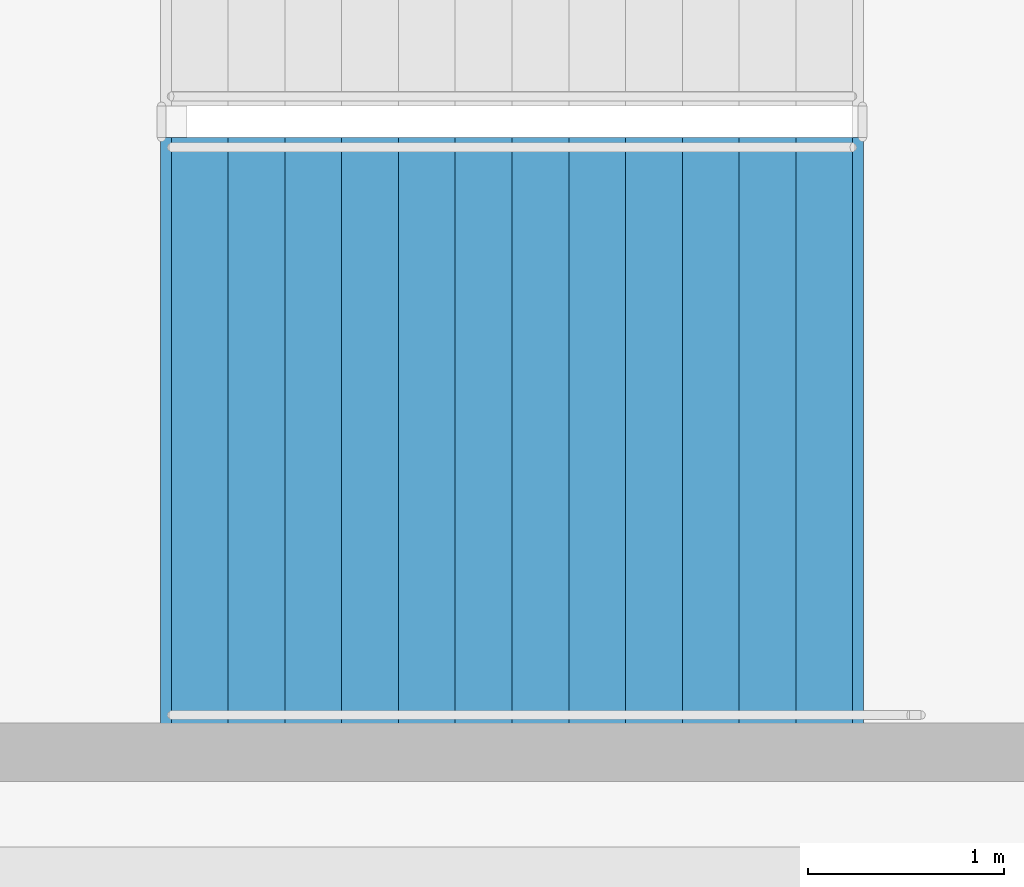
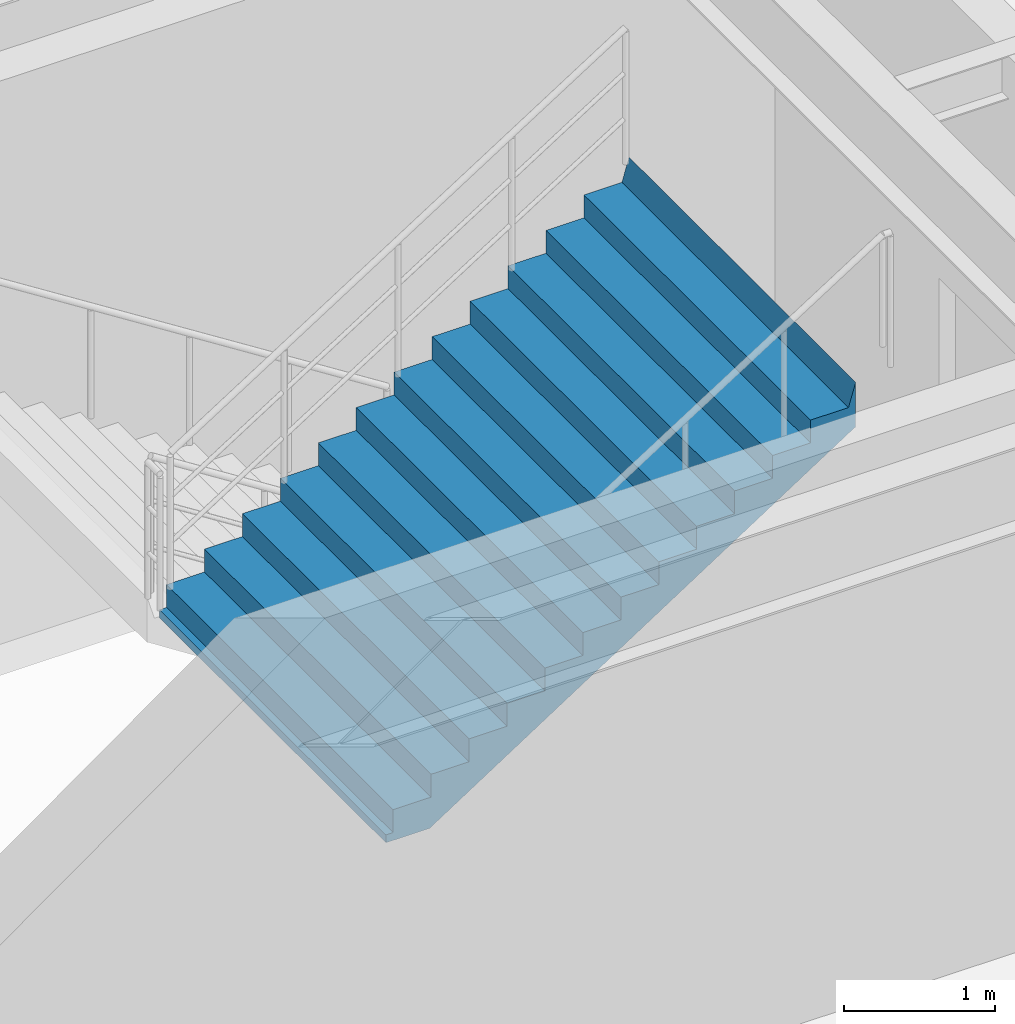
# One storey, part 126 of 144: 1 stair flight, 1 element without a shape of its own.
"""IFC4 building model written with IfcOpenShell, lengths in metres."""

from ifc_helpers import new_model, si_unit, direction, frame, origin, place, context, subcontext, project, spatial, polyline, outline, extrude, material, type_object, element, aggregate, save


model = new_model("IFC4")

# Units and contexts
model_context = context("Model", 3, precision=1e-05, world=origin(), true_north=direction((0.0, 1.0)))
body_context = subcontext(model_context, "Body", "Model", "MODEL_VIEW")
ifc_project = project(units=[si_unit("LENGTHUNIT", "METRE"), si_unit("AREAUNIT", "SQUARE_METRE"), si_unit("VOLUMEUNIT", "CUBIC_METRE"), si_unit("PLANEANGLEUNIT", "RADIAN"), si_unit("MASSUNIT", "GRAM", prefix="KILO")], contexts=[model_context])

# Site, building, storey
site_placement = place(None, origin())
site = spatial("IfcSite", under=ifc_project, at=site_placement, CompositionType="ELEMENT")
building_placement = place(site_placement, origin())
building = spatial("IfcBuilding", under=site, at=building_placement, Name="Cinderbank Siding Concert Hall", CompositionType="ELEMENT")
storey_placement = place(building_placement, frame((0.0, 0.0, 5.39990234375)))
storey = spatial("IfcBuildingStorey", under=building, at=storey_placement, Name="L02", CompositionType="ELEMENT", Elevation=5.39990234375)

# Stair, stair flight
ifc_material = material(Name="Reinforced concrete AS 3600 N50 (50 MPa)", Category="concrete")
stair_type = type_object("IfcStairType", Name="STR-I Dogleg Exit Stair 3000mm", PredefinedType="HALF_TURN_STAIR", material=ifc_material)
stair_placement = place(storey_placement, origin())
stair = element("IfcStair", 1, at=stair_placement, inside=storey, type_object=stair_type, Name="L02 East Link Exit Stair ST-11", PredefinedType="HALF_TURN_STAIR")
stair_flight_type = type_object("IfcStairFlightType", Name="SFL-I Concrete Stair Flight 3000mm", PredefinedType="STRAIGHT", material=ifc_material)
stair_flight_placement = place(storey_placement, frame((156.219970703125, 83.050048828125, 2.400146484375), z_axis=(0.0, 0.0, 1.0), x_axis=(1.0, 0.0, 0.0)))
stair_flight = element("IfcStairFlight", 2, at=stair_flight_placement, type_object=stair_flight_type, Name="ST-11 flight 2", NumberOfRisers=13, NumberOfTreads=12, PredefinedType="STRAIGHT", RiserHeight=0.184615385, TreadLength=0.29, context=body_context, shape_type="SweptSolid", body=[
    extrude(outline(polyline([(0.0, 0.0), (0.0, 0.1845703125), (0.2900390625, 0.1845703125), (0.2900390625, 0.369140625), (0.580078125, 0.369140625), (0.580078125, 0.553955078125), (0.8701171875, 0.553955078125), (0.8701171875, 0.738525390625), (1.159912109375, 0.738525390625), (1.159912109375, 0.923095703125), (1.449951171875, 0.923095703125), (1.449951171875, 1.107666015625), (1.739990234375, 1.107666015625), (1.739990234375, 1.292236328125), (2.030029296875, 1.292236328125), (2.030029296875, 1.476806640625), (2.320068359375, 1.476806640625), (2.320068359375, 1.66162109375), (2.610107421875, 1.66162109375), (2.610107421875, 1.84619140625), (2.89990234375, 1.84619140625), (2.89990234375, 2.03076171875), (3.18994140625, 2.03076171875), (3.18994140625, 2.21533203125), (3.47998046875, 2.21533203125), (3.534912109375, 2.39990234375), (3.534912109375, 2.03759765625), (3.53466796875, 2.037841796875), (3.53466796875, 2.0380859375), (3.53466796875, 2.038330078125), (3.53466796875, 2.03857421875), (3.53466796875, 2.038818359375), (3.53466796875, 2.0390625), (3.53466796875, 2.039306640625), (3.53466796875, 2.03955078125), (3.53466796875, 2.039794921875), (3.53466796875, 2.0400390625), (3.53466796875, 2.040283203125), (3.53466796875, 2.04052734375), (3.534423828125, 2.04052734375), (3.534423828125, 2.040283203125), (3.534423828125, 2.0400390625), (3.534423828125, 2.039794921875), (3.534423828125, 2.03955078125), (3.534423828125, 2.039306640625), (3.534423828125, 2.0390625), (3.534423828125, 2.038818359375), (3.534423828125, 2.03857421875), (3.534423828125, 2.038330078125), (3.534423828125, 2.0380859375), (3.534423828125, 2.037841796875), (3.534423828125, 2.03759765625), (3.5341796875, 2.037841796875), (3.5341796875, 2.0380859375), (3.5341796875, 2.038330078125), (3.5341796875, 2.03857421875), (3.5341796875, 2.038818359375), (3.5341796875, 2.0390625), (3.5341796875, 2.039306640625), (3.5341796875, 2.03955078125), (3.5341796875, 2.039794921875), (3.5341796875, 2.0400390625), (3.5341796875, 2.040283203125), (3.5341796875, 2.04052734375), (3.533935546875, 2.04052734375), (3.533935546875, 2.040283203125), (3.533935546875, 2.0400390625), (3.533935546875, 2.039794921875), (3.533935546875, 2.03955078125), (3.533935546875, 2.039306640625), (3.533935546875, 2.0390625), (3.533935546875, 2.038818359375), (3.533935546875, 2.03857421875), (3.533935546875, 2.038330078125), (3.533935546875, 2.0380859375), (3.533935546875, 2.037841796875), (3.533935546875, 2.03759765625), (3.53369140625, 2.037841796875), (3.53369140625, 2.0380859375), (3.53369140625, 2.038330078125), (3.53369140625, 2.03857421875), (3.53369140625, 2.038818359375), (3.53369140625, 2.0390625), (3.53369140625, 2.039306640625), (3.53369140625, 2.03955078125), (3.53369140625, 2.039794921875), (3.53369140625, 2.0400390625), (3.53369140625, 2.040283203125), (3.53369140625, 2.04052734375), (3.533447265625, 2.04052734375), (3.533447265625, 2.040283203125), (3.533447265625, 2.0400390625), (3.533447265625, 2.039794921875), (3.533447265625, 2.03955078125), (3.533447265625, 2.039306640625), (3.533447265625, 2.0390625), (3.533447265625, 2.038818359375), (3.533447265625, 2.03857421875), (3.533447265625, 2.038330078125), (3.533447265625, 2.0380859375), (3.533447265625, 2.037841796875), (3.533447265625, 2.03759765625), (3.533203125, 2.037841796875), (3.533203125, 2.0380859375), (3.533203125, 2.038330078125), (3.533203125, 2.03857421875), (3.533203125, 2.038818359375), (3.533203125, 2.0390625), (3.533203125, 2.039306640625), (3.533203125, 2.03955078125), (3.533203125, 2.039794921875), (3.533203125, 2.0400390625), (3.533203125, 2.040283203125), (3.533203125, 2.04052734375), (3.532958984375, 2.04052734375), (3.532958984375, 2.040283203125), (3.532958984375, 2.0400390625), (3.532958984375, 2.039794921875), (3.532958984375, 2.03955078125), (3.532958984375, 2.039306640625), (3.532958984375, 2.0390625), (3.532958984375, 2.038818359375), (3.532958984375, 2.03857421875), (3.532958984375, 2.038330078125), (3.532958984375, 2.0380859375), (3.532958984375, 2.037841796875), (3.532958984375, 2.03759765625), (3.53271484375, 2.037841796875), (3.53271484375, 2.0380859375), (3.53271484375, 2.038330078125), (3.53271484375, 2.03857421875), (3.53271484375, 2.038818359375), (3.53271484375, 2.0390625), (3.53271484375, 2.039306640625), (3.53271484375, 2.03955078125), (3.53271484375, 2.039794921875), (3.53271484375, 2.0400390625), (3.53271484375, 2.040283203125), (3.53271484375, 2.04052734375), (3.532470703125, 2.04052734375), (3.532470703125, 2.040283203125), (3.532470703125, 2.0400390625), (3.532470703125, 2.039794921875), (3.532470703125, 2.03955078125), (3.532470703125, 2.039306640625), (3.532470703125, 2.0390625), (3.532470703125, 2.038818359375), (3.532470703125, 2.03857421875), (3.532470703125, 2.038330078125), (3.532470703125, 2.0380859375), (3.532470703125, 2.037841796875), (3.532470703125, 2.03759765625), (3.5322265625, 2.037841796875), (3.5322265625, 2.0380859375), (3.5322265625, 2.038330078125), (3.5322265625, 2.03857421875), (3.5322265625, 2.038818359375), (3.5322265625, 2.0390625), (3.5322265625, 2.039306640625), (3.5322265625, 2.03955078125), (3.5322265625, 2.039794921875), (3.5322265625, 2.0400390625), (3.5322265625, 2.040283203125), (3.5322265625, 2.04052734375), (3.531982421875, 2.04052734375), (3.531982421875, 2.040283203125), (3.531982421875, 2.0400390625), (3.531982421875, 2.039794921875), (3.531982421875, 2.03955078125), (3.531982421875, 2.039306640625), (3.531982421875, 2.0390625), (3.531982421875, 2.038818359375), (3.531982421875, 2.03857421875), (3.531982421875, 2.038330078125), (3.531982421875, 2.0380859375), (3.531982421875, 2.037841796875), (3.531982421875, 2.03759765625), (3.53173828125, 2.037841796875), (3.53173828125, 2.0380859375), (3.53173828125, 2.038330078125), (3.53173828125, 2.03857421875), (3.53173828125, 2.038818359375), (3.53173828125, 2.0390625), (3.53173828125, 2.039306640625), (3.53173828125, 2.03955078125), (3.53173828125, 2.039794921875), (3.53173828125, 2.0400390625), (3.53173828125, 2.040283203125), (3.53173828125, 2.04052734375), (3.531494140625, 2.04052734375), (3.531494140625, 2.040283203125), (3.531494140625, 2.0400390625), (3.531494140625, 2.039794921875), (3.531494140625, 2.03955078125), (3.531494140625, 2.039306640625), (3.531494140625, 2.0390625), (3.531494140625, 2.038818359375), (3.531494140625, 2.03857421875), (3.531494140625, 2.038330078125), (3.531494140625, 2.0380859375), (3.531494140625, 2.037841796875), (3.531494140625, 2.03759765625), (3.53125, 2.037841796875), (3.53125, 2.0380859375), (3.53125, 2.038330078125), (3.53125, 2.03857421875), (3.53125, 2.038818359375), (3.53125, 2.0390625), (3.53125, 2.039306640625), (3.53125, 2.03955078125), (3.53125, 2.039794921875), (3.53125, 2.0400390625), (3.53125, 2.040283203125), (3.53125, 2.04052734375), (3.531005859375, 2.04052734375), (3.531005859375, 2.040283203125), (3.531005859375, 2.0400390625), (3.531005859375, 2.039794921875), (3.531005859375, 2.03955078125), (3.531005859375, 2.039306640625), (3.531005859375, 2.0390625), (3.531005859375, 2.038818359375), (3.531005859375, 2.03857421875), (3.531005859375, 2.038330078125), (3.531005859375, 2.0380859375), (3.531005859375, 2.037841796875), (3.531005859375, 2.03759765625), (3.53076171875, 2.037841796875), (3.53076171875, 2.0380859375), (3.53076171875, 2.038330078125), (3.53076171875, 2.03857421875), (3.53076171875, 2.038818359375), (3.53076171875, 2.0390625), (3.53076171875, 2.039306640625), (3.53076171875, 2.03955078125), (3.53076171875, 2.039794921875), (3.53076171875, 2.0400390625), (3.53076171875, 2.040283203125), (3.53076171875, 2.04052734375), (3.530517578125, 2.04052734375), (3.530517578125, 2.040283203125), (3.530517578125, 2.0400390625), (3.530517578125, 2.039794921875), (3.530517578125, 2.03955078125), (3.530517578125, 2.039306640625), (3.530517578125, 2.0390625), (3.530517578125, 2.038818359375), (3.530517578125, 2.03857421875), (3.530517578125, 2.038330078125), (3.530517578125, 2.0380859375), (3.530517578125, 2.037841796875), (3.530517578125, 2.03759765625), (3.5302734375, 2.037841796875), (3.5302734375, 2.0380859375), (3.5302734375, 2.038330078125), (3.5302734375, 2.03857421875), (3.5302734375, 2.038818359375), (3.5302734375, 2.0390625), (3.5302734375, 2.039306640625), (3.5302734375, 2.03955078125), (3.5302734375, 2.039794921875), (3.5302734375, 2.0400390625), (3.5302734375, 2.040283203125), (3.5302734375, 2.04052734375), (3.530029296875, 2.04052734375), (3.530029296875, 2.040283203125), (3.530029296875, 2.0400390625), (3.530029296875, 2.039794921875), (3.530029296875, 2.03955078125), (3.530029296875, 2.039306640625), (3.530029296875, 2.0390625), (3.530029296875, 2.038818359375), (3.530029296875, 2.03857421875), (3.530029296875, 2.038330078125), (3.530029296875, 2.0380859375), (3.530029296875, 2.037841796875), (3.530029296875, 2.03759765625), (3.52978515625, 2.037841796875), (3.52978515625, 2.0380859375), (3.52978515625, 2.038330078125), (3.52978515625, 2.03857421875), (3.52978515625, 2.038818359375), (3.52978515625, 2.0390625), (3.52978515625, 2.039306640625), (3.52978515625, 2.03955078125), (3.52978515625, 2.039794921875), (3.52978515625, 2.0400390625), (3.52978515625, 2.040283203125), (3.52978515625, 2.04052734375), (3.529541015625, 2.04052734375), (3.529541015625, 2.040283203125), (3.529541015625, 2.0400390625), (3.529541015625, 2.039794921875), (3.529541015625, 2.03955078125), (3.529541015625, 2.039306640625), (3.529541015625, 2.0390625), (3.529541015625, 2.038818359375), (3.529541015625, 2.03857421875), (3.529541015625, 2.038330078125), (3.529541015625, 2.0380859375), (3.529541015625, 2.037841796875), (3.529541015625, 2.03759765625), (3.529296875, 2.037841796875), (3.529296875, 2.0380859375), (3.529296875, 2.038330078125), (3.529296875, 2.03857421875), (3.529296875, 2.038818359375), (3.529296875, 2.0390625), (3.529296875, 2.039306640625), (3.529296875, 2.03955078125), (3.529296875, 2.039794921875), (3.529296875, 2.0400390625), (3.529296875, 2.040283203125), (3.529296875, 2.04052734375), (3.529052734375, 2.04052734375), (3.529052734375, 2.040283203125), (3.529052734375, 2.0400390625), (3.529052734375, 2.039794921875), (3.529052734375, 2.03955078125), (3.529052734375, 2.039306640625), (3.529052734375, 2.0390625), (3.529052734375, 2.038818359375), (3.529052734375, 2.03857421875), (3.529052734375, 2.038330078125), (3.529052734375, 2.0380859375), (3.529052734375, 2.037841796875), (3.529052734375, 2.03759765625), (3.52880859375, 2.037841796875), (3.52880859375, 2.0380859375), (3.52880859375, 2.038330078125), (3.52880859375, 2.03857421875), (3.52880859375, 2.038818359375), (3.52880859375, 2.0390625), (3.52880859375, 2.039306640625), (3.52880859375, 2.03955078125), (3.52880859375, 2.039794921875), (3.52880859375, 2.0400390625), (3.52880859375, 2.040283203125), (3.52880859375, 2.04052734375), (3.528564453125, 2.04052734375), (3.528564453125, 2.040283203125), (3.528564453125, 2.0400390625), (3.528564453125, 2.039794921875), (3.528564453125, 2.03955078125), (3.528564453125, 2.039306640625), (3.528564453125, 2.0390625), (3.528564453125, 2.038818359375), (3.528564453125, 2.03857421875), (3.528564453125, 2.038330078125), (3.528564453125, 2.0380859375), (3.528564453125, 2.037841796875), (3.528564453125, 2.03759765625), (0.279052734375, -0.06396484375), (-0.048583984375, -0.063720703125), (-0.048583984375, -0.0634765625), (-0.048583984375, -0.063232421875), (-0.048583984375, -0.06298828125), (-0.048583984375, -0.062744140625), (-0.048583984375, -0.0625), (-0.048583984375, -0.062255859375), (-0.048583984375, -0.06201171875), (-0.048583984375, -0.061767578125), (-0.048583984375, -0.0615234375), (-0.048583984375, -0.061279296875), (-0.048583984375, -0.06103515625), (-0.048828125, -0.06103515625), (-0.048828125, -0.061279296875), (-0.048828125, -0.0615234375), (-0.048828125, -0.061767578125), (-0.048828125, -0.06201171875), (-0.048828125, -0.062255859375), (-0.048828125, -0.0625), (-0.048828125, -0.062744140625), (-0.048828125, -0.06298828125), (-0.048828125, -0.063232421875), (-0.048828125, -0.0634765625), (-0.048828125, -0.063720703125), (-0.048828125, -0.06396484375), (-0.049072265625, -0.063720703125), (-0.049072265625, -0.0634765625), (-0.049072265625, -0.063232421875), (-0.049072265625, -0.06298828125), (-0.049072265625, -0.062744140625), (-0.049072265625, -0.0625), (-0.049072265625, -0.062255859375), (-0.049072265625, -0.06201171875), (-0.049072265625, -0.061767578125), (-0.049072265625, -0.0615234375), (-0.049072265625, -0.061279296875), (-0.049072265625, -0.06103515625), (-0.04931640625, -0.06103515625), (-0.04931640625, -0.061279296875), (-0.04931640625, -0.0615234375), (-0.04931640625, -0.061767578125), (-0.04931640625, -0.06201171875), (-0.04931640625, -0.062255859375), (-0.04931640625, -0.0625), (-0.04931640625, -0.062744140625), (-0.04931640625, -0.06298828125), (-0.04931640625, -0.063232421875), (-0.04931640625, -0.0634765625), (-0.04931640625, -0.063720703125), (-0.04931640625, -0.06396484375), (-0.049560546875, -0.063720703125), (-0.049560546875, -0.0634765625), (-0.049560546875, -0.063232421875), (-0.049560546875, -0.06298828125), (-0.049560546875, -0.062744140625), (-0.049560546875, -0.0625), (-0.049560546875, -0.062255859375), (-0.049560546875, -0.06201171875), (-0.049560546875, -0.061767578125), (-0.049560546875, -0.0615234375), (-0.049560546875, -0.061279296875), (-0.049560546875, -0.06103515625), (-0.0498046875, -0.06103515625), (-0.0498046875, -0.061279296875), (-0.0498046875, -0.0615234375), (-0.0498046875, -0.061767578125), (-0.0498046875, -0.06201171875), (-0.0498046875, -0.062255859375), (-0.0498046875, -0.0625), (-0.0498046875, -0.062744140625), (-0.0498046875, -0.06298828125), (-0.0498046875, -0.063232421875), (-0.0498046875, -0.0634765625), (-0.0498046875, -0.063720703125), (-0.0498046875, -0.06396484375), (-0.050048828125, -0.063720703125), (-0.050048828125, -0.0634765625), (-0.050048828125, -0.063232421875), (-0.050048828125, -0.06298828125), (-0.050048828125, -0.062744140625), (-0.050048828125, -0.0625), (-0.050048828125, -0.062255859375), (-0.050048828125, -0.06201171875), (-0.050048828125, -0.061767578125), (-0.050048828125, -0.0615234375), (-0.050048828125, -0.061279296875), (-0.050048828125, -0.06103515625), (-0.05029296875, -0.06103515625), (-0.05029296875, -0.061279296875), (-0.05029296875, -0.0615234375), (-0.05029296875, -0.061767578125), (-0.05029296875, -0.06201171875), (-0.05029296875, -0.062255859375), (-0.05029296875, -0.0625), (-0.05029296875, -0.062744140625), (-0.05029296875, -0.06298828125), (-0.05029296875, -0.063232421875), (-0.05029296875, -0.0634765625), (-0.05029296875, -0.063720703125), (-0.05029296875, -0.06396484375), (-0.050537109375, -0.063720703125), (-0.050537109375, -0.0634765625), (-0.050537109375, -0.063232421875), (-0.050537109375, -0.06298828125), (-0.050537109375, -0.062744140625), (-0.050537109375, -0.0625), (-0.050537109375, -0.062255859375), (-0.050537109375, -0.06201171875), (-0.050537109375, -0.061767578125), (-0.050537109375, -0.0615234375), (-0.050537109375, -0.061279296875), (-0.050537109375, -0.06103515625), (-0.05078125, -0.06103515625), (-0.05078125, -0.061279296875), (-0.05078125, -0.0615234375), (-0.05078125, -0.061767578125), (-0.05078125, -0.06201171875), (-0.05078125, -0.062255859375), (-0.05078125, -0.0625), (-0.05078125, -0.062744140625), (-0.05078125, -0.06298828125), (-0.05078125, -0.063232421875), (-0.05078125, -0.0634765625), (-0.05078125, -0.063720703125), (-0.05078125, -0.06396484375), (-0.051025390625, -0.063720703125), (-0.051025390625, -0.0634765625), (-0.051025390625, -0.063232421875), (-0.051025390625, -0.06298828125), (-0.051025390625, -0.062744140625), (-0.051025390625, -0.0625), (-0.051025390625, -0.062255859375), (-0.051025390625, -0.06201171875), (-0.051025390625, -0.061767578125), (-0.051025390625, -0.0615234375), (-0.051025390625, -0.061279296875), (-0.051025390625, -0.06103515625), (-0.05126953125, -0.06103515625), (-0.05126953125, -0.061279296875), (-0.05126953125, -0.0615234375), (-0.05126953125, -0.061767578125), (-0.05126953125, -0.06201171875), (-0.05126953125, -0.062255859375), (-0.05126953125, -0.0625), (-0.05126953125, -0.062744140625), (-0.05126953125, -0.06298828125), (-0.05126953125, -0.063232421875), (-0.05126953125, -0.0634765625), (-0.05126953125, -0.063720703125), (-0.05126953125, -0.06396484375), (-0.051513671875, -0.063720703125), (-0.051513671875, -0.0634765625), (-0.051513671875, -0.063232421875), (-0.051513671875, -0.06298828125), (-0.051513671875, -0.062744140625), (-0.051513671875, -0.0625), (-0.051513671875, -0.062255859375), (-0.051513671875, -0.06201171875), (-0.051513671875, -0.061767578125), (-0.051513671875, -0.0615234375), (-0.051513671875, -0.061279296875), (-0.051513671875, -0.06103515625), (-0.0517578125, -0.06103515625), (-0.0517578125, -0.061279296875), (-0.0517578125, -0.0615234375), (-0.0517578125, -0.061767578125), (-0.0517578125, -0.06201171875), (-0.0517578125, -0.062255859375), (-0.0517578125, -0.0625), (-0.0517578125, -0.062744140625), (-0.0517578125, -0.06298828125), (-0.0517578125, -0.063232421875), (-0.0517578125, -0.0634765625), (-0.0517578125, -0.063720703125), (-0.0517578125, -0.06396484375), (-0.052001953125, -0.063720703125), (-0.052001953125, -0.0634765625), (-0.052001953125, -0.063232421875), (-0.052001953125, -0.06298828125), (-0.052001953125, -0.062744140625), (-0.052001953125, -0.0625), (-0.052001953125, -0.062255859375), (-0.052001953125, -0.06201171875), (-0.052001953125, -0.061767578125), (-0.052001953125, -0.0615234375), (-0.052001953125, -0.061279296875), (-0.052001953125, -0.06103515625), (-0.05224609375, -0.06103515625), (-0.05224609375, -0.061279296875), (-0.05224609375, -0.0615234375), (-0.05224609375, -0.061767578125), (-0.05224609375, -0.06201171875), (-0.05224609375, -0.062255859375), (-0.05224609375, -0.0625), (-0.05224609375, -0.062744140625), (-0.05224609375, -0.06298828125), (-0.05224609375, -0.063232421875), (-0.05224609375, -0.0634765625), (-0.05224609375, -0.063720703125), (-0.05224609375, -0.06396484375), (-0.052490234375, -0.063720703125), (-0.052490234375, -0.0634765625), (-0.052490234375, -0.063232421875), (-0.052490234375, -0.06298828125), (-0.052490234375, -0.062744140625), (-0.052490234375, -0.0625), (-0.052490234375, -0.062255859375), (-0.052490234375, -0.06201171875), (-0.052490234375, -0.061767578125), (-0.052490234375, -0.0615234375), (-0.052490234375, -0.061279296875), (-0.052490234375, -0.06103515625), (-0.052734375, -0.06103515625), (-0.052734375, -0.061279296875), (-0.052734375, -0.0615234375), (-0.052734375, -0.061767578125), (-0.052734375, -0.06201171875), (-0.052734375, -0.062255859375), (-0.052734375, -0.0625), (-0.052734375, -0.062744140625), (-0.052734375, -0.06298828125), (-0.052734375, -0.063232421875), (-0.052734375, -0.0634765625), (-0.052734375, -0.063720703125), (-0.052734375, -0.06396484375), (-0.052978515625, -0.063720703125), (-0.052978515625, -0.0634765625), (-0.052978515625, -0.063232421875), (-0.052978515625, -0.06298828125), (-0.052978515625, -0.062744140625), (-0.052978515625, -0.0625), (-0.052978515625, -0.062255859375), (-0.052978515625, -0.06201171875), (-0.052978515625, -0.061767578125), (-0.052978515625, -0.0615234375), (-0.052978515625, -0.061279296875), (-0.052978515625, -0.06103515625), (-0.05322265625, -0.06103515625), (-0.05322265625, -0.061279296875), (-0.05322265625, -0.0615234375), (-0.05322265625, -0.061767578125), (-0.05322265625, -0.06201171875), (-0.05322265625, -0.062255859375), (-0.05322265625, -0.0625), (-0.05322265625, -0.062744140625), (-0.05322265625, -0.06298828125), (-0.05322265625, -0.063232421875), (-0.05322265625, -0.0634765625), (-0.05322265625, -0.063720703125), (-0.05322265625, -0.06396484375), (-0.053466796875, -0.063720703125), (-0.053466796875, -0.0634765625), (-0.053466796875, -0.063232421875), (-0.053466796875, -0.06298828125), (-0.053466796875, -0.062744140625), (-0.053466796875, -0.0625), (-0.053466796875, -0.062255859375), (-0.053466796875, -0.06201171875), (-0.053466796875, -0.061767578125), (-0.053466796875, -0.0615234375), (-0.053466796875, -0.061279296875), (-0.053466796875, -0.06103515625), (-0.0537109375, -0.06103515625), (-0.0537109375, -0.061279296875), (-0.0537109375, -0.0615234375), (-0.0537109375, -0.061767578125), (-0.0537109375, -0.06201171875), (-0.0537109375, -0.062255859375), (-0.0537109375, -0.0625), (-0.0537109375, -0.062744140625), (-0.0537109375, -0.06298828125), (-0.0537109375, -0.063232421875), (-0.0537109375, -0.0634765625), (-0.0537109375, -0.063720703125), (-0.0537109375, -0.06396484375), (-0.053955078125, -0.063720703125), (-0.053955078125, -0.0634765625), (-0.053955078125, -0.063232421875), (-0.053955078125, -0.06298828125), (-0.053955078125, -0.062744140625), (-0.053955078125, -0.0625), (-0.053955078125, -0.062255859375), (-0.053955078125, -0.06201171875), (-0.053955078125, -0.061767578125), (-0.053955078125, -0.0615234375), (-0.053955078125, -0.061279296875), (-0.053955078125, -0.06103515625), (-0.05419921875, -0.06103515625), (-0.05419921875, -0.061279296875), (-0.05419921875, -0.0615234375), (-0.05419921875, -0.061767578125), (-0.05419921875, -0.06201171875), (-0.05419921875, -0.062255859375), (-0.05419921875, -0.0625), (-0.05419921875, -0.062744140625), (-0.05419921875, -0.06298828125), (-0.05419921875, -0.063232421875), (-0.05419921875, -0.0634765625), (-0.05419921875, -0.063720703125), (-0.05419921875, -0.06396484375), (-0.054443359375, -0.063720703125), (-0.054443359375, -0.0634765625), (-0.054443359375, -0.063232421875), (-0.054443359375, -0.06298828125), (-0.054443359375, -0.062744140625), (-0.054443359375, -0.0625), (-0.054443359375, -0.062255859375), (-0.054443359375, -0.06201171875), (-0.054443359375, -0.061767578125), (-0.054443359375, -0.0615234375), (-0.054443359375, -0.061279296875), (-0.054443359375, -0.06103515625), (-0.0546875, -0.06103515625), (-0.0546875, -0.061279296875), (-0.0546875, -0.0615234375), (-0.0546875, -0.061767578125), (-0.0546875, -0.06201171875), (-0.0546875, -0.062255859375), (-0.0546875, -0.0625), (-0.0546875, -0.062744140625), (-0.0546875, -0.06298828125), (-0.0546875, -0.063232421875), (-0.0546875, -0.0634765625), (-0.0546875, -0.063720703125), (-0.0546875, -0.06396484375), (-0.054931640625, -0.06396484375), (-0.054931640625, 0.0), (0.0, 0.0)])), frame((0.0, 1.5, 0.0), z_axis=(0.0, -1.0, 0.0), x_axis=(1.0, 0.0, 0.0)), (0.0, 0.0, 1.0), 3.0),
])
aggregate(stair, [stair_flight])

save(model, "model.ifc")
